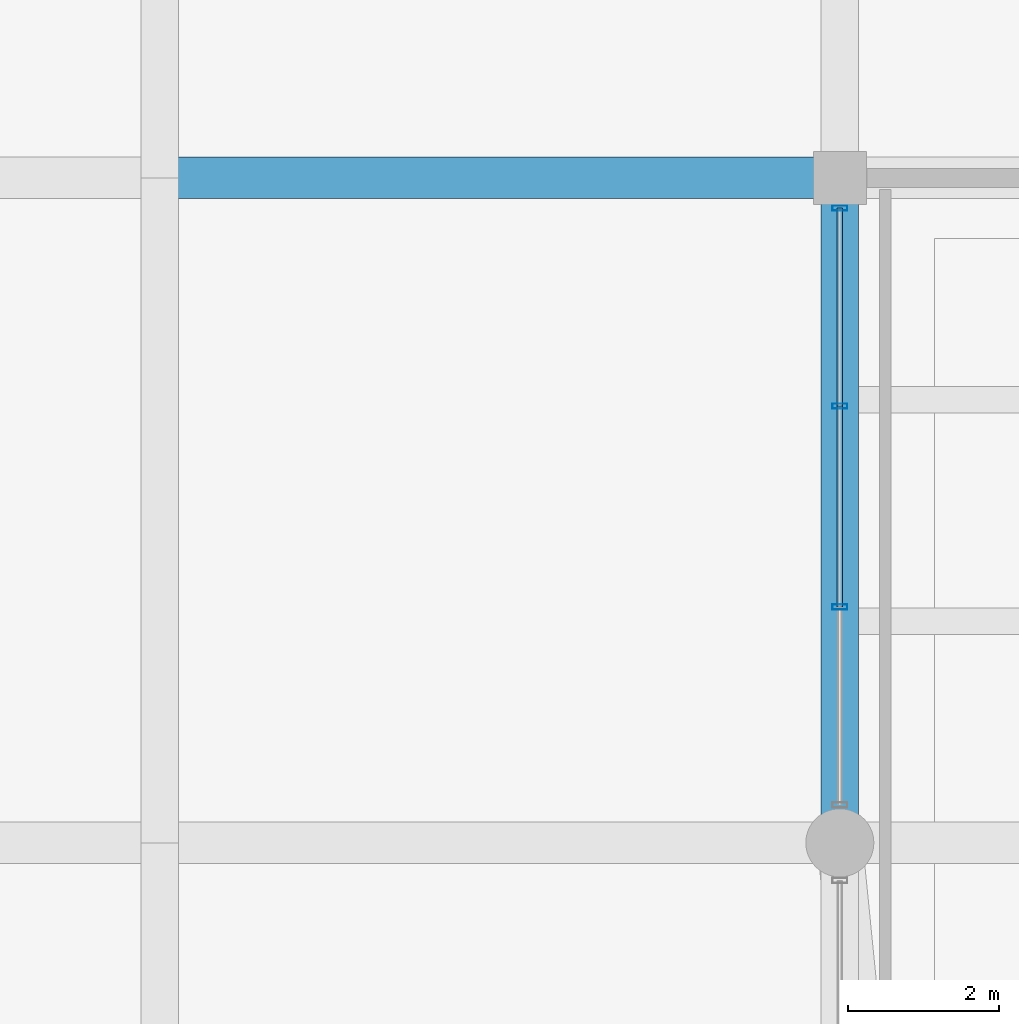
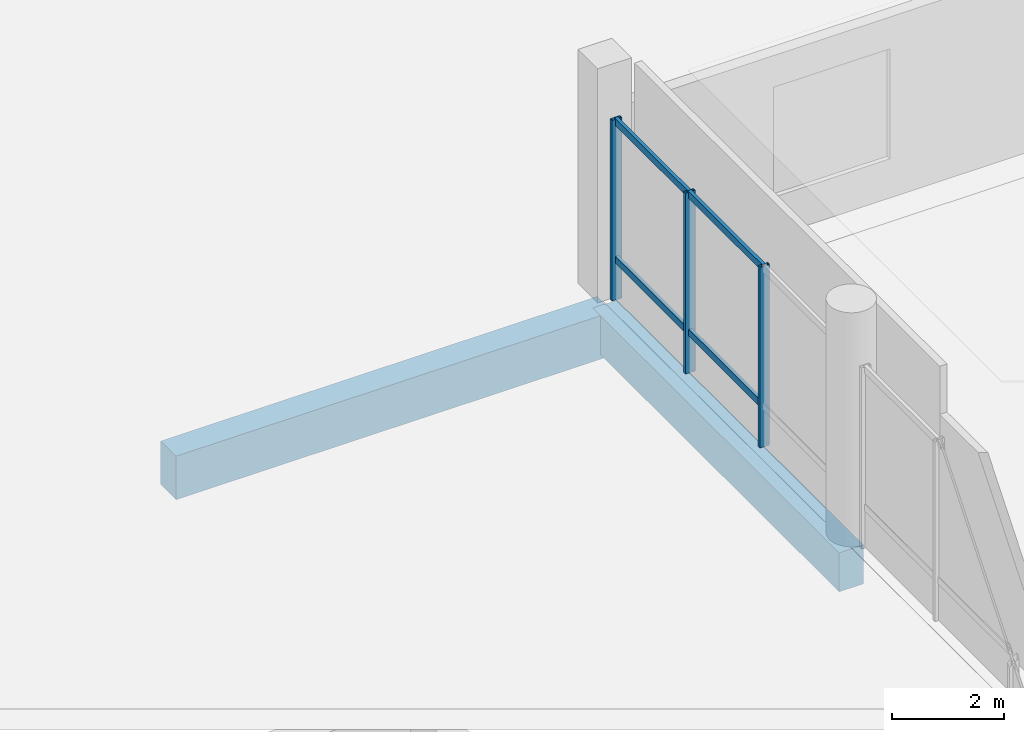
# One storey, part 30 of 73: 7 members, 2 beams, 1 element without a shape of its own.
"""IFC4 building model written with IfcOpenShell, lengths in metres."""

from ifc_helpers import new_model, si_unit, direction, frame, origin, origin_2d, place, context, subcontext, project, spatial, rectangle, hollow_rectangle, extrude, material, layer, layer_set, material_profile, profile_set, type_object, element, aggregate, save


model = new_model("IFC4")

# Units and contexts
model_context = context("Model", 3, precision=1e-05, world=origin(), true_north=direction((0.0, 1.0)))
body_context = subcontext(model_context, "Body", "Model", "MODEL_VIEW")
ifc_project = project(units=[si_unit("LENGTHUNIT", "METRE"), si_unit("AREAUNIT", "SQUARE_METRE"), si_unit("VOLUMEUNIT", "CUBIC_METRE"), si_unit("PLANEANGLEUNIT", "RADIAN"), si_unit("MASSUNIT", "GRAM", prefix="KILO")], contexts=[model_context])

# Site, building, storey
site_placement = place(None, origin())
site = spatial("IfcSite", under=ifc_project, at=site_placement, CompositionType="ELEMENT")
building_placement = place(site_placement, origin())
building = spatial("IfcBuilding", under=site, at=building_placement, Name="Meriwether Solvik Hall", CompositionType="ELEMENT")
storey_placement = place(building_placement, origin())
storey = spatial("IfcBuildingStorey", under=building, at=storey_placement, Name="L00", CompositionType="ELEMENT", Elevation=0.0)

# Beams
ifc_material_1 = material(Name="Concrete C40/50", Category="concrete")
ifc_material_profile_1 = material_profile(ifc_material_1, rectangle(XDim=0.5, YDim=0.85009765625, at=origin_2d()), Name="RCB-500X850")
ifc_profile_set_1 = profile_set([ifc_material_profile_1], Name="Concrete C40/50")
beam_type_1 = type_object("IfcBeamType", Name="BM-RC-500X850", PredefinedType="BEAM", material=ifc_profile_set_1)
beam_1_placement = place(storey_placement, frame((59.39990234375, 84.0, -0.784912109375), z_axis=(0.0, 1.0, 0.0), x_axis=(-1.0, 0.0, 0.0)))
element("IfcBeam", 1, at=beam_1_placement, inside=storey, type_object=beam_type_1, Name="Podium Girder 7:J-K (L00)", PredefinedType="BEAM", context=body_context, shape_type="SweptSolid", body=[
    extrude(rectangle(XDim=0.5, YDim=0.85009765625, at=origin_2d()), origin(), (0.0, 0.0, 1.0), 8.800048828125),
])
ifc_material_2 = material(Name="Concrete C40/50", Category="concrete")
ifc_material_profile_2 = material_profile(ifc_material_2, rectangle(XDim=0.550048828125, YDim=0.949951171875, at=origin_2d()), Name="RCB-550X950")
ifc_profile_set_2 = profile_set([ifc_material_profile_2], Name="Concrete C40/50")
beam_type_2 = type_object("IfcBeamType", Name="BM-RC-550X950", PredefinedType="BEAM", material=ifc_profile_set_2)
beam_2_placement = place(storey_placement, frame((50.39990234375, 92.800048828125, -0.8349609375), z_axis=(1.0, 0.0, 0.0), x_axis=(0.0, 1.0, 0.0)))
element("IfcBeam", 2, at=beam_2_placement, inside=storey, type_object=beam_type_2, Name="Podium Girder K:6-7 (L00)", PredefinedType="BEAM", context=body_context, shape_type="SweptSolid", body=[
    extrude(rectangle(XDim=0.550048828125, YDim=0.949951171875, at=origin_2d()), origin(), (0.0, 0.0, 1.0), 9.0),
])

# Curtain wall, members
ifc_material_3 = material(Name="Thermally Broken Anodised Aluminium 6063-T6 and Low-E Glass", Category="aluminium")
ifc_layer = layer(ifc_material_3, 0.179931640625)
ifc_layer_set = layer_set([ifc_layer], Name="Thermally Broken Anodised Aluminium 6063-T6 and Low-E Glass")
curtain_wall_type = type_object("IfcCurtainWallType", Name="CW-SF-POD-A", PredefinedType="USERDEFINED", material=ifc_layer_set)
curtain_wall_placement = place(storey_placement, origin())
curtain_wall = element("IfcCurtainWall", 3, at=curtain_wall_placement, inside=storey, type_object=curtain_wall_type, Name="Curtain Wall wing_Y7_10_55 (L00)", ObjectType="STICK STOREFRONT GLAZING", PredefinedType="USERDEFINED")
ifc_material_4 = material(Name="Anodised Aluminium 6063-T6", Category="aluminium")
ifc_material_profile_3 = material_profile(ifc_material_4, hollow_rectangle(XDim=0.070068359375, YDim=0.199951171875, WallThickness=0.0048828125, at=origin_2d()), Name="CWM-70X200")
ifc_profile_set_3 = profile_set([ifc_material_profile_3], Name="Anodised Aluminium 6063-T6")
member_type_1 = type_object("IfcMemberType", Name="CW-MUL-70X200", PredefinedType="MULLION", material=ifc_profile_set_3)
member_1_placement = place(storey_placement, frame((59.39990234375, 87.12060546875, 0.0), z_axis=(0.0, 0.0, 1.0), x_axis=(0.0, 1.0, 0.0)))
member_1 = element("IfcMember", 4, at=member_1_placement, type_object=member_type_1, Name="Curtain Wall Mullion 2", PredefinedType="MULLION", context=body_context, shape_type="SweptSolid", body=[
    extrude(hollow_rectangle(XDim=0.070068359375, YDim=0.199951171875, WallThickness=0.0048828125, at=origin_2d()), origin(), (0.0, 0.0, 1.0), 3.93994140625),
])
member_2_placement = place(storey_placement, frame((59.39990234375, 89.779296875, 0.0), z_axis=(0.0, 0.0, 1.0), x_axis=(0.0, 1.0, 0.0)))
member_2 = element("IfcMember", 5, at=member_2_placement, type_object=member_type_1, Name="Curtain Wall Mullion 3", PredefinedType="MULLION", context=body_context, shape_type="SweptSolid", body=[
    extrude(hollow_rectangle(XDim=0.070068359375, YDim=0.199951171875, WallThickness=0.0048828125, at=origin_2d()), origin(), (0.0, 0.0, 1.0), 3.93994140625),
])
member_3_placement = place(storey_placement, frame((59.39990234375, 92.39990234375, 0.0), z_axis=(0.0, 0.0, 1.0), x_axis=(0.0, 1.0, 0.0)))
member_3 = element("IfcMember", 6, at=member_3_placement, type_object=member_type_1, Name="Curtain Wall Mullion 4", PredefinedType="MULLION", context=body_context, shape_type="SweptSolid", body=[
    extrude(hollow_rectangle(XDim=0.070068359375, YDim=0.199951171875, WallThickness=0.0048828125, at=origin_2d()), origin(), (0.0, 0.0, 1.0), 3.93994140625),
])
ifc_material_5 = material(Name="Anodised Aluminium 6063-T6", Category="aluminium")
ifc_material_profile_4 = material_profile(ifc_material_5, hollow_rectangle(XDim=0.070068359375, YDim=0.14990234375, WallThickness=0.0048828125, at=origin_2d()), Name="CWT-70X150")
ifc_profile_set_4 = profile_set([ifc_material_profile_4], Name="Anodised Aluminium 6063-T6")
member_type_2 = type_object("IfcMemberType", Name="CW-TRN-70X150", PredefinedType="USERDEFINED", material=ifc_profile_set_4)
member_4_placement = place(storey_placement, frame((59.39990234375, 87.12060546875, 0.8798828125), z_axis=(0.0, 1.0, 0.0), x_axis=(-1.0, 0.0, 0.0)))
member_4 = element("IfcMember", 7, at=member_4_placement, type_object=member_type_2, Name="Curtain Wall Transom 2-sill", ObjectType="TRANSOM", PredefinedType="USERDEFINED", context=body_context, shape_type="SweptSolid", body=[
    extrude(hollow_rectangle(XDim=0.070068359375, YDim=0.14990234375, WallThickness=0.0048828125, at=origin_2d()), origin(), (0.0, 0.0, 1.0), 2.65869140625),
])
member_5_placement = place(storey_placement, frame((59.39990234375, 87.12060546875, 3.8798828125), z_axis=(0.0, 1.0, 0.0), x_axis=(-1.0, 0.0, 0.0)))
member_5 = element("IfcMember", 8, at=member_5_placement, type_object=member_type_2, Name="Curtain Wall Transom 2-head", ObjectType="TRANSOM", PredefinedType="USERDEFINED", context=body_context, shape_type="SweptSolid", body=[
    extrude(hollow_rectangle(XDim=0.070068359375, YDim=0.14990234375, WallThickness=0.0048828125, at=origin_2d()), origin(), (0.0, 0.0, 1.0), 2.65869140625),
])
member_6_placement = place(storey_placement, frame((59.39990234375, 89.779296875, 0.8798828125), z_axis=(0.0, 1.0, 0.0), x_axis=(-1.0, 0.0, 0.0)))
member_6 = element("IfcMember", 9, at=member_6_placement, type_object=member_type_2, Name="Curtain Wall Transom 3-sill", ObjectType="TRANSOM", PredefinedType="USERDEFINED", context=body_context, shape_type="SweptSolid", body=[
    extrude(hollow_rectangle(XDim=0.070068359375, YDim=0.14990234375, WallThickness=0.0048828125, at=origin_2d()), origin(), (0.0, 0.0, 1.0), 2.62060546875),
])
member_7_placement = place(storey_placement, frame((59.39990234375, 89.779296875, 3.8798828125), z_axis=(0.0, 1.0, 0.0), x_axis=(-1.0, 0.0, 0.0)))
member_7 = element("IfcMember", 10, at=member_7_placement, type_object=member_type_2, Name="Curtain Wall Transom 3-head", ObjectType="TRANSOM", PredefinedType="USERDEFINED", context=body_context, shape_type="SweptSolid", body=[
    extrude(hollow_rectangle(XDim=0.070068359375, YDim=0.14990234375, WallThickness=0.0048828125, at=origin_2d()), origin(), (0.0, 0.0, 1.0), 2.62060546875),
])
aggregate(curtain_wall, [member_1, member_2, member_3, member_4, member_5, member_6, member_7])

save(model, "model.ifc")
